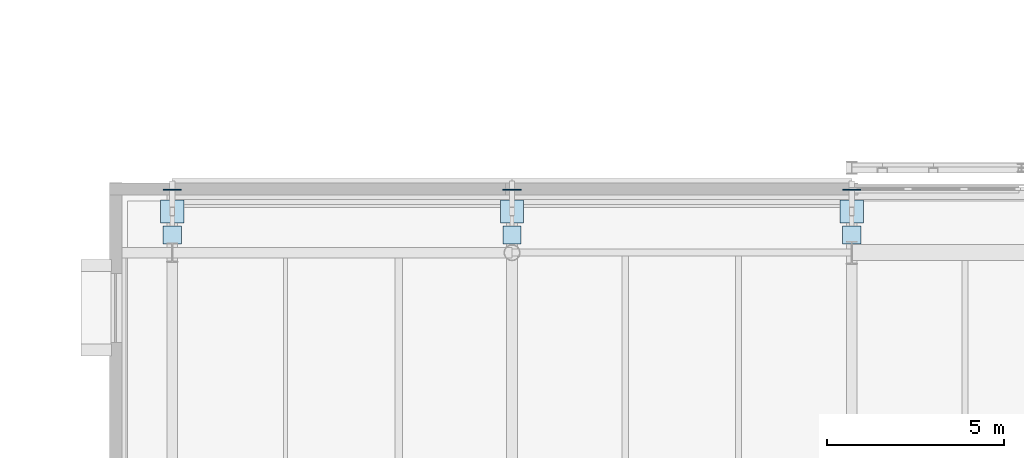
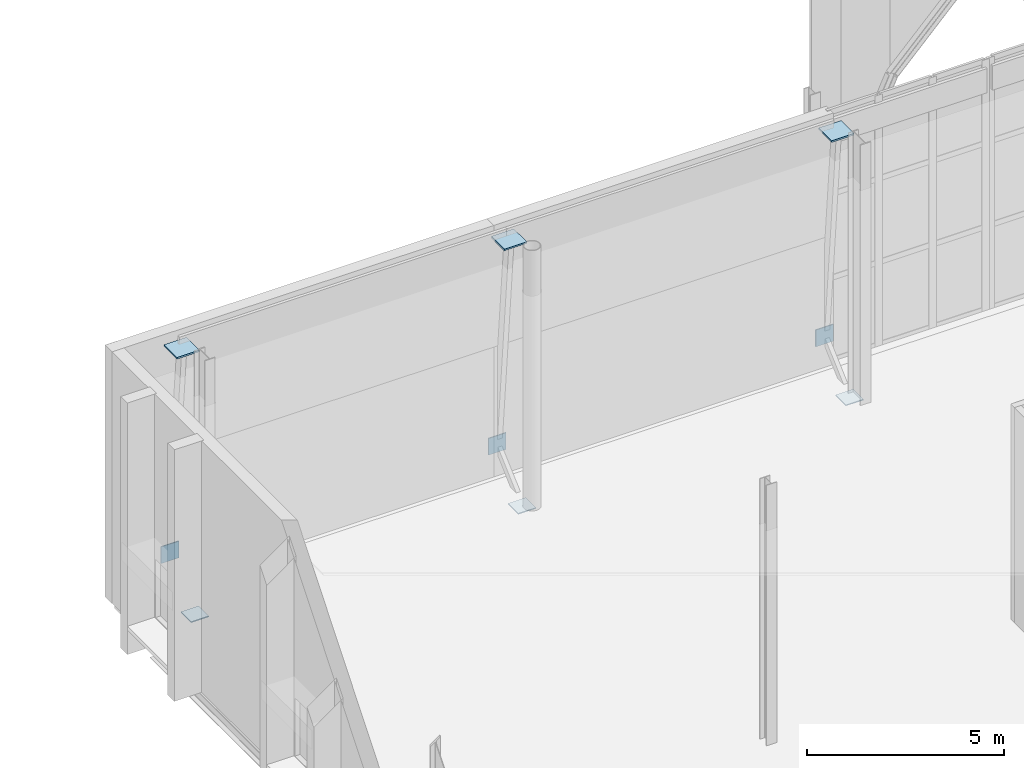
# One storey, part 48 of 79: 9 plates.
"""IFC4 building model written with IfcOpenShell, lengths in metres."""

from ifc_helpers import new_model, si_unit, direction, frame, origin, origin_2d, place, context, subcontext, project, spatial, rectangle, extrude, material, layer, layer_set, type_object, element, save


model = new_model("IFC4")

# Units and contexts
model_context = context("Model", 3, precision=1e-05, world=origin(), true_north=direction((0.0, 1.0)))
body_context = subcontext(model_context, "Body", "Model", "MODEL_VIEW")
ifc_project = project(units=[si_unit("LENGTHUNIT", "METRE"), si_unit("AREAUNIT", "SQUARE_METRE"), si_unit("VOLUMEUNIT", "CUBIC_METRE"), si_unit("PLANEANGLEUNIT", "RADIAN"), si_unit("MASSUNIT", "GRAM", prefix="KILO")], contexts=[model_context])

# Site, building, storey
site_placement = place(None, origin())
site = spatial("IfcSite", under=ifc_project, at=site_placement, CompositionType="ELEMENT")
building_placement = place(site_placement, origin())
building = spatial("IfcBuilding", under=site, at=building_placement, Name="Zereglee Splitstone Museum", CompositionType="ELEMENT")
storey_placement = place(building_placement, frame((0.0, 0.0, 9.0)))
storey = spatial("IfcBuildingStorey", under=building, at=storey_placement, Name="L02", CompositionType="ELEMENT", Elevation=9.0)

# Plates
ifc_material = material(Name="Steel S355J2", Category="steel")
ifc_layer_1 = layer(ifc_material, 0.030029296875)
ifc_layer_set_1 = layer_set([ifc_layer_1], Name="Steel S355J2")
plate_type_1 = type_object("IfcPlateType", Name="NP-04", PredefinedType="SHEET", material=ifc_layer_set_1)
plate_1_placement = place(storey_placement, frame((78.0, 50.89990234375, -0.294921875), z_axis=(0.0, 0.0, 1.0), x_axis=(1.0, 0.0, 0.0)))
element("IfcPlate", 1, at=plate_1_placement, inside=storey, type_object=plate_type_1, Name="Facet Tie Seal Plate FH-V2NW", PredefinedType="SHEET", context=body_context, shape_type="SweptSolid", body=[
    extrude(rectangle(XDim=0.52001953125, YDim=0.52001953125, at=origin_2d()), origin(), (0.0, 0.0, 1.0), 0.030029296875),
])
plate_2_placement = place(storey_placement, frame((78.0, 52.172607421875, 0.619873046875), z_axis=(0.0, 0.0, 1.0), x_axis=(1.0, 0.0, 0.0)))
element("IfcPlate", 2, at=plate_2_placement, inside=storey, type_object=plate_type_1, Name="Facet Tie Seal Plate FH-V2NW", PredefinedType="SHEET", context=body_context, shape_type="SweptSolid", body=[
    extrude(rectangle(XDim=0.52001953125, YDim=0.030029296875, at=origin_2d()), origin(), (0.0, 0.0, 1.0), 0.52001953125),
])
plate_3_placement = place(storey_placement, frame((87.60009765625, 50.89990234375, -0.294921875), z_axis=(0.0, 0.0, 1.0), x_axis=(1.0, 0.0, 0.0)))
element("IfcPlate", 3, at=plate_3_placement, inside=storey, type_object=plate_type_1, Name="Facet Tie Seal Plate FH-V2NW", PredefinedType="SHEET", context=body_context, shape_type="SweptSolid", body=[
    extrude(rectangle(XDim=0.52001953125, YDim=0.52001953125, at=origin_2d()), origin(), (0.0, 0.0, 1.0), 0.030029296875),
])
plate_4_placement = place(storey_placement, frame((87.60009765625, 52.172607421875, 0.619873046875), z_axis=(0.0, 0.0, 1.0), x_axis=(1.0, 0.0, 0.0)))
element("IfcPlate", 4, at=plate_4_placement, inside=storey, type_object=plate_type_1, Name="Facet Tie Seal Plate FH-V2NW", PredefinedType="SHEET", context=body_context, shape_type="SweptSolid", body=[
    extrude(rectangle(XDim=0.52001953125, YDim=0.030029296875, at=origin_2d()), origin(), (0.0, 0.0, 1.0), 0.52001953125),
])
plate_5_placement = place(storey_placement, frame((97.199951171875, 50.89990234375, -0.294921875), z_axis=(0.0, 0.0, 1.0), x_axis=(1.0, 0.0, 0.0)))
element("IfcPlate", 5, at=plate_5_placement, inside=storey, type_object=plate_type_1, Name="Facet Tie Seal Plate FH-V2NW", PredefinedType="SHEET", context=body_context, shape_type="SweptSolid", body=[
    extrude(rectangle(XDim=0.52001953125, YDim=0.52001953125, at=origin_2d()), origin(), (0.0, 0.0, 1.0), 0.030029296875),
])
plate_6_placement = place(storey_placement, frame((97.199951171875, 52.172607421875, 0.619873046875), z_axis=(0.0, 0.0, 1.0), x_axis=(1.0, 0.0, 0.0)))
element("IfcPlate", 6, at=plate_6_placement, inside=storey, type_object=plate_type_1, Name="Facet Tie Seal Plate FH-V2NW", PredefinedType="SHEET", context=body_context, shape_type="SweptSolid", body=[
    extrude(rectangle(XDim=0.52001953125, YDim=0.030029296875, at=origin_2d()), origin(), (0.0, 0.0, 1.0), 0.52001953125),
])
ifc_layer_2 = layer(ifc_material, 0.050048828125)
ifc_layer_set_2 = layer_set([ifc_layer_2], Name="Steel S355J2")
plate_type_2 = type_object("IfcPlateType", Name="NP-02", PredefinedType="SHEET", material=ifc_layer_set_2)
for number, where, z_axis, x_axis, name in (
    (7, (78.0, 51.56201171875, 7.544921875), (0.0, 0.0, 1.0), (1.0, 0.0, 0.0), "Facet Strut Seal Plate FH-V2NW"),
    (8, (87.60009765625, 51.56201171875, 7.544921875), (0.0, 0.0, 1.0), (1.0, 0.0, 0.0), "Facet Strut Seal Plate FH-V2NW"),
    (9, (97.199951171875, 51.56201171875, 7.544921875), (0.0, 0.0, 1.0), (1.0, 0.0, 0.0), "Facet Strut Seal Plate FH-V2NW"),
):
    element("IfcPlate", number, at=place(storey_placement, frame(where, z_axis=z_axis, x_axis=x_axis)), inside=storey, type_object=plate_type_2, Name=name, PredefinedType="SHEET", context=body_context, shape_type="SweptSolid", body=[
        extrude(rectangle(XDim=0.659912109375, YDim=0.659912109375, at=origin_2d()), origin(), (0.0, 0.0, 1.0), 0.050048828125),
    ])

save(model, "model.ifc")
